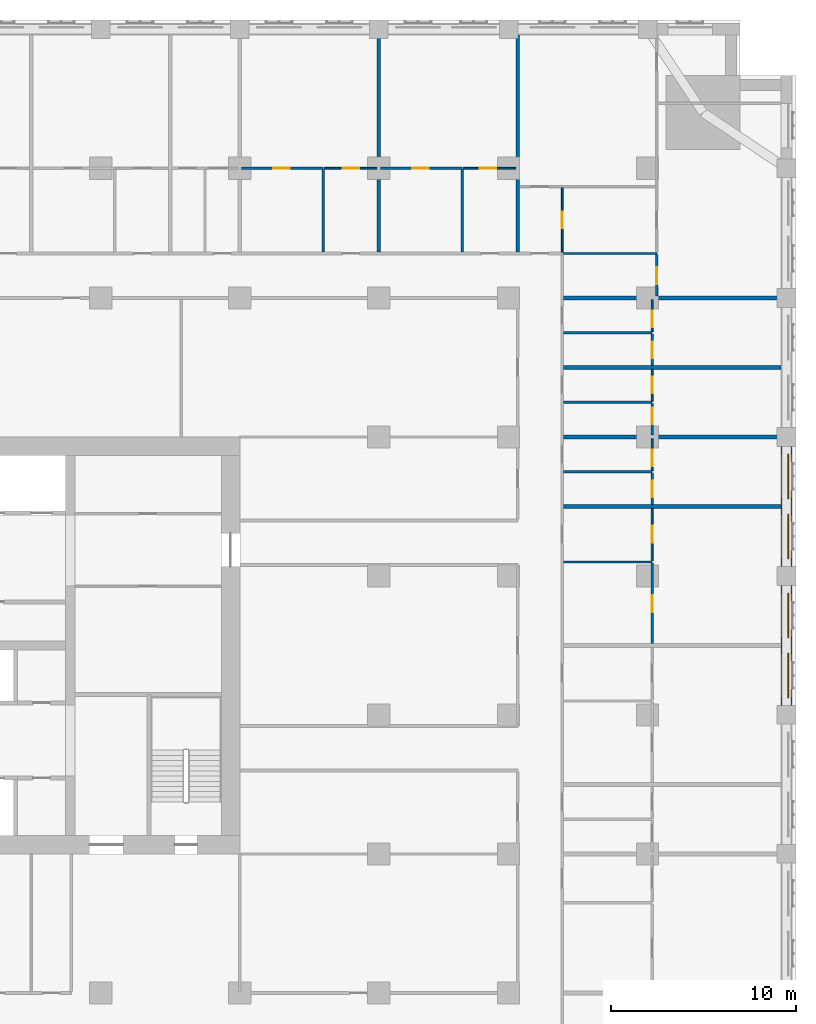
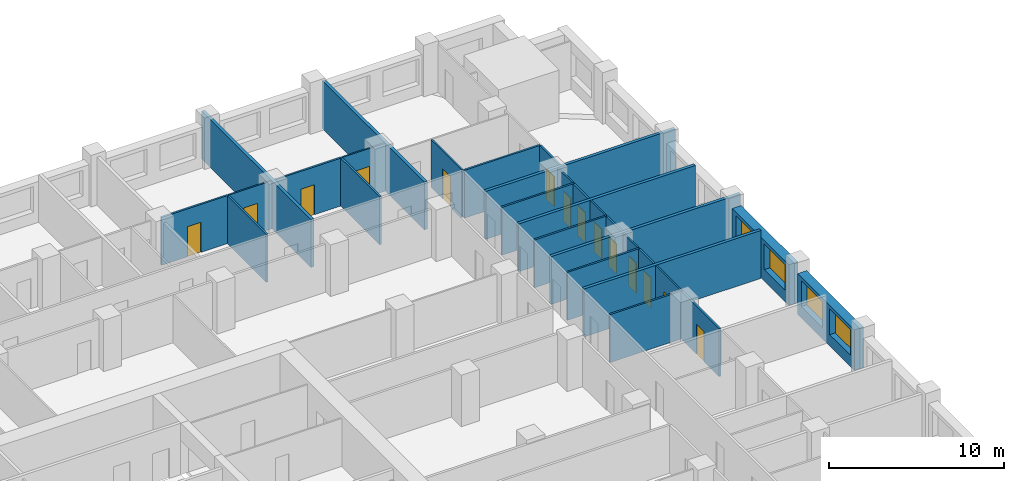
# One storey, part 10 of 14: 29 walls, 14 doors, 4 windows, 18 openings.
"""IFC4 building model written with IfcOpenShell, lengths in metres."""

from ifc_helpers import new_model, si_unit, direction, frame, frame_2d, origin, place, context, subcontext, project, spatial, rectangle, extrude, material, layer, layer_set, type_object, element, fill, save


model = new_model("IFC4")

# Units and contexts
model_context = context("Model", 3, precision=1e-05, world=origin(), true_north=direction((0.0, 1.0)))
body_context = subcontext(model_context, "Body", "Model", "MODEL_VIEW")
ifc_project = project(units=[si_unit("LENGTHUNIT", "METRE"), si_unit("AREAUNIT", "SQUARE_METRE"), si_unit("VOLUMEUNIT", "CUBIC_METRE"), si_unit("PLANEANGLEUNIT", "RADIAN"), si_unit("MASSUNIT", "GRAM", prefix="KILO")], contexts=[model_context])

# Site, building, storey
site_placement = place(None, origin())
site = spatial("IfcSite", under=ifc_project, at=site_placement, CompositionType="ELEMENT")
building_placement = place(site_placement, origin())
building = spatial("IfcBuilding", under=site, at=building_placement, Name="Tamorin Gate", CompositionType="ELEMENT")
storey_placement = place(building_placement, frame((0.0, 0.0, 59.199951171875)))
storey = spatial("IfcBuildingStorey", under=building, at=storey_placement, Name="L13", CompositionType="ELEMENT", Elevation=59.199951171875)

# Wall, openings, windows
ifc_material_1 = material(Name="Precast concrete C40/50", Category="concrete")
ifc_layer_1 = layer(ifc_material_1, 0.60009765625)
ifc_layer_set_1 = layer_set([ifc_layer_1], Name="Precast concrete C40/50")
wall_type_1 = type_object("IfcWallType", Name="Board-marked concrete facade panel 600", PredefinedType="SOLIDWALL", material=ifc_layer_set_1)
wall_1_placement = place(storey_placement, frame((89.5, 68.0, 0.0), z_axis=(0.0, 0.0, 1.0), x_axis=(0.0, 1.0, 0.0)))
wall_1 = element("IfcWall", 1, at=wall_1_placement, inside=storey, type_object=wall_type_1, Name="Facade panel", PredefinedType="SOLIDWALL", context=body_context, shape_type="SweptSolid", body=[
    extrude(rectangle(XDim=6.5, YDim=0.60009765625, at=frame_2d((3.25, 0.0))), origin(), (0.0, 0.0, 1.0), 2.85009765625),
])
opening_1_placement = place(wall_1_placement, frame((0.425048828125, 0.0, 0.800048828125)))
opening_1 = element("IfcOpeningElement", 2, at=opening_1_placement, cuts=wall_1, Name="Opening WN1", PredefinedType="OPENING", context=body_context, shape_type="SweptSolid", body=[
    extrude(rectangle(XDim=2.39990234375, YDim=1.800048828125, at=frame_2d((1.199951171875, 0.89990234375))), frame((0.0, 0.31005859375, 0.0), z_axis=(0.0, -1.0, 0.0), x_axis=(1.0, 0.0, 0.0)), (0.0, 0.0, 1.0), 0.6201171875),
])
opening_2_placement = place(wall_1_placement, frame((3.675048828125, 0.0, 0.800048828125)))
opening_2 = element("IfcOpeningElement", 3, at=opening_2_placement, cuts=wall_1, Name="Opening WN1", PredefinedType="OPENING", context=body_context, shape_type="SweptSolid", body=[
    extrude(rectangle(XDim=2.39990234375, YDim=1.800048828125, at=frame_2d((1.199951171875, 0.89990234375))), frame((0.0, 0.31005859375, 0.0), z_axis=(0.0, -1.0, 0.0), x_axis=(1.0, 0.0, 0.0)), (0.0, 0.0, 1.0), 0.6201171875),
])
ifc_material_2 = material(Name="Clear glass in aluminium frame", Category="aluminium")
window_type = type_object("IfcWindowType", Name="Deep-set window 2400x1800", PartitioningType="SINGLE_PANEL", PredefinedType="WINDOW", material=ifc_material_2)
window_1_placement = place(opening_1_placement, origin())
window_1 = element("IfcWindow", 4, at=window_1_placement, inside=storey, type_object=window_type, Name="Deep-set window", OverallHeight=1.800048828125, OverallWidth=2.39990234375, PartitioningType="SINGLE_PANEL", PredefinedType="WINDOW", context=body_context, shape_type="SweptSolid", body=[
    extrude(rectangle(XDim=2.39990234375, YDim=1.800048828125, at=frame_2d((1.199951171875, 0.89990234375))), frame((0.0, -0.070068359375, 0.0), z_axis=(0.0, -1.0, 0.0), x_axis=(1.0, 0.0, 0.0)), (0.0, 0.0, 1.0), 0.06005859375),
])
fill(opening_1, window_1)
window_2_placement = place(opening_2_placement, origin())
window_2 = element("IfcWindow", 5, at=window_2_placement, inside=storey, type_object=window_type, Name="Deep-set window", OverallHeight=1.800048828125, OverallWidth=2.39990234375, PartitioningType="SINGLE_PANEL", PredefinedType="WINDOW", context=body_context, shape_type="SweptSolid", body=[
    extrude(rectangle(XDim=2.39990234375, YDim=1.800048828125, at=frame_2d((1.199951171875, 0.89990234375))), frame((0.0, -0.070068359375, 0.0), z_axis=(0.0, -1.0, 0.0), x_axis=(1.0, 0.0, 0.0)), (0.0, 0.0, 1.0), 0.06005859375),
])
fill(opening_2, window_2)

wall_2_placement = place(storey_placement, frame((89.5, 75.5, 0.0), z_axis=(0.0, 0.0, 1.0), x_axis=(0.0, 1.0, 0.0)))
wall_2 = element("IfcWall", 6, at=wall_2_placement, inside=storey, type_object=wall_type_1, Name="Facade panel", PredefinedType="SOLIDWALL", context=body_context, shape_type="SweptSolid", body=[
    extrude(rectangle(XDim=6.5, YDim=0.60009765625, at=frame_2d((3.25, 0.0))), origin(), (0.0, 0.0, 1.0), 2.85009765625),
])
opening_3_placement = place(wall_2_placement, frame((0.425048828125, 0.0, 0.800048828125)))
opening_3 = element("IfcOpeningElement", 7, at=opening_3_placement, cuts=wall_2, Name="Opening WN1", PredefinedType="OPENING", context=body_context, shape_type="SweptSolid", body=[
    extrude(rectangle(XDim=2.39990234375, YDim=1.800048828125, at=frame_2d((1.199951171875, 0.89990234375))), frame((0.0, 0.31005859375, 0.0), z_axis=(0.0, -1.0, 0.0), x_axis=(1.0, 0.0, 0.0)), (0.0, 0.0, 1.0), 0.6201171875),
])
opening_4_placement = place(wall_2_placement, frame((3.675048828125, 0.0, 0.800048828125)))
opening_4 = element("IfcOpeningElement", 8, at=opening_4_placement, cuts=wall_2, Name="Opening WN1", PredefinedType="OPENING", context=body_context, shape_type="SweptSolid", body=[
    extrude(rectangle(XDim=2.39990234375, YDim=1.800048828125, at=frame_2d((1.199951171875, 0.89990234375))), frame((0.0, 0.31005859375, 0.0), z_axis=(0.0, -1.0, 0.0), x_axis=(1.0, 0.0, 0.0)), (0.0, 0.0, 1.0), 0.6201171875),
])
window_3_placement = place(opening_3_placement, origin())
window_3 = element("IfcWindow", 9, at=window_3_placement, inside=storey, type_object=window_type, Name="Deep-set window", OverallHeight=1.800048828125, OverallWidth=2.39990234375, PartitioningType="SINGLE_PANEL", PredefinedType="WINDOW", context=body_context, shape_type="SweptSolid", body=[
    extrude(rectangle(XDim=2.39990234375, YDim=1.800048828125, at=frame_2d((1.199951171875, 0.89990234375))), frame((0.0, -0.070068359375, 0.0), z_axis=(0.0, -1.0, 0.0), x_axis=(1.0, 0.0, 0.0)), (0.0, 0.0, 1.0), 0.06005859375),
])
fill(opening_3, window_3)
window_4_placement = place(opening_4_placement, origin())
window_4 = element("IfcWindow", 10, at=window_4_placement, inside=storey, type_object=window_type, Name="Deep-set window", OverallHeight=1.800048828125, OverallWidth=2.39990234375, PartitioningType="SINGLE_PANEL", PredefinedType="WINDOW", context=body_context, shape_type="SweptSolid", body=[
    extrude(rectangle(XDim=2.39990234375, YDim=1.800048828125, at=frame_2d((1.199951171875, 0.89990234375))), frame((0.0, -0.070068359375, 0.0), z_axis=(0.0, -1.0, 0.0), x_axis=(1.0, 0.0, 0.0)), (0.0, 0.0, 1.0), 0.06005859375),
])
fill(opening_4, window_4)

# Walls
ifc_material_3 = material(Name="Gypsum board partition")
ifc_layer_2 = layer(ifc_material_3, 0.199951171875)
ifc_layer_set_2 = layer_set([ifc_layer_2], Name="Demising wall 200")
wall_type_2 = type_object("IfcWallType", Name="Demising wall 200", PredefinedType="PARTITIONING", material=ifc_layer_set_2)
wall_3_placement = place(storey_placement, frame((77.47509765625, 78.75, 0.0), z_axis=(0.0, 0.0, 1.0), x_axis=(1.0, 0.0, 0.0)))
element("IfcWall", 11, at=wall_3_placement, inside=storey, type_object=wall_type_2, Name="Demising wall 200", PredefinedType="PARTITIONING", context=body_context, shape_type="SweptSolid", body=[
    extrude(rectangle(XDim=11.71484375, YDim=0.199951171875, at=frame_2d((5.857421875, 0.0))), origin(), (0.0, 0.0, 1.0), 3.35009765625),
])
wall_4_placement = place(storey_placement, frame((77.47509765625, 82.5, 0.0), z_axis=(0.0, 0.0, 1.0), x_axis=(1.0, 0.0, 0.0)))
element("IfcWall", 12, at=wall_4_placement, inside=storey, type_object=wall_type_2, Name="Demising wall 200", PredefinedType="PARTITIONING", context=body_context, shape_type="SweptSolid", body=[
    extrude(rectangle(XDim=12.52490234375, YDim=0.199951171875, at=frame_2d((6.262451171875, 0.0))), origin(), (0.0, 0.0, 1.0), 3.35009765625),
])
wall_5_placement = place(storey_placement, frame((77.47509765625, 86.25, 0.0), z_axis=(0.0, 0.0, 1.0), x_axis=(1.0, 0.0, 0.0)))
element("IfcWall", 13, at=wall_5_placement, inside=storey, type_object=wall_type_2, Name="Demising wall 200", PredefinedType="PARTITIONING", context=body_context, shape_type="SweptSolid", body=[
    extrude(rectangle(XDim=11.71484375, YDim=0.199951171875, at=frame_2d((5.857421875, 0.0))), origin(), (0.0, 0.0, 1.0), 3.35009765625),
])
for number, where, z_axis, x_axis, name in (
    (14, (77.47509765625, 90.0, 0.0), (0.0, 0.0, 1.0), (1.0, 0.0, 0.0), "Demising wall 200"),
    (15, (67.5, 92.47509765625, 0.0), (0.0, 0.0, 1.0), (0.0, 1.0, 0.0), "Demising wall 200"),
):
    element("IfcWall", number, at=place(storey_placement, frame(where, z_axis=z_axis, x_axis=x_axis)), inside=storey, type_object=wall_type_2, Name=name, PredefinedType="PARTITIONING", context=body_context, shape_type="SweptSolid", body=[
        extrude(rectangle(XDim=12.52490234375, YDim=0.199951171875, at=frame_2d((6.262451171875, 0.0))), origin(), (0.0, 0.0, 1.0), 3.35009765625),
    ])
wall_6_placement = place(storey_placement, frame((75.0, 92.47509765625, 0.0), z_axis=(0.0, 0.0, 1.0), x_axis=(0.0, 1.0, 0.0)))
element("IfcWall", 16, at=wall_6_placement, inside=storey, type_object=wall_type_2, Name="Demising wall 200", PredefinedType="PARTITIONING", context=body_context, shape_type="SweptSolid", body=[
    extrude(rectangle(XDim=11.71484375, YDim=0.199951171875, at=frame_2d((5.857421875, 0.0))), origin(), (0.0, 0.0, 1.0), 3.35009765625),
])

# Wall, opening, door
ifc_layer_3 = layer(ifc_material_3, 0.10009765625)
ifc_layer_set_3 = layer_set([ifc_layer_3], Name="Room partition 100")
wall_type_3 = type_object("IfcWallType", Name="Room partition 100", PredefinedType="PARTITIONING", material=ifc_layer_set_3)
wall_7_placement = place(storey_placement, frame((64.5625, 97.0, 0.0), z_axis=(0.0, 0.0, 1.0), x_axis=(1.0, 0.0, 0.0)))
wall_7 = element("IfcWall", 17, at=wall_7_placement, inside=storey, type_object=wall_type_3, Name="Room partition 100", PredefinedType="PARTITIONING", context=body_context, shape_type="SweptSolid", body=[
    extrude(rectangle(XDim=2.83740234375, YDim=0.10009765625, at=frame_2d((1.418701171875, 0.0))), origin(), (0.0, 0.0, 1.0), 3.35009765625),
])
opening_5_placement = place(wall_7_placement, frame((0.987548828125, 0.0, 0.0)))
opening_5 = element("IfcOpeningElement", 18, at=opening_5_placement, cuts=wall_7, Name="Opening DH4035", PredefinedType="OPENING", context=body_context, shape_type="SweptSolid", body=[
    extrude(rectangle(XDim=0.89990234375, YDim=2.10009765625, at=frame_2d((0.449951171875, 1.050048828125))), frame((0.0, 0.06005859375, 0.0), z_axis=(0.0, -1.0, 0.0), x_axis=(1.0, 0.0, 0.0)), (0.0, 0.0, 1.0), 0.1201171875),
])
ifc_material_4 = material(Name="Timber door leaf", Category="wood")
door_type = type_object("IfcDoorType", Name="Door 900 x 2100", OperationType="NOTDEFINED", PredefinedType="DOOR", material=ifc_material_4)
door_1_placement = place(opening_5_placement, origin())
door_1 = element("IfcDoor", 19, at=door_1_placement, inside=storey, type_object=door_type, Name="Door DH4035", OperationType="SINGLE_SWING_RIGHT", OverallHeight=2.10009765625, OverallWidth=0.89990234375, PredefinedType="DOOR", context=body_context, shape_type="SweptSolid", body=[
    extrude(rectangle(XDim=0.89990234375, YDim=2.10009765625, at=frame_2d((0.449951171875, 1.050048828125))), frame((0.0, 0.02490234375, 0.0), z_axis=(0.0, -1.0, 0.0), x_axis=(1.0, 0.0, 0.0)), (0.0, 0.0, 1.0), 0.050048828125),
])
fill(opening_5, door_1)

wall_8_placement = place(storey_placement, frame((72.0625, 97.0, 0.0), z_axis=(0.0, 0.0, 1.0), x_axis=(1.0, 0.0, 0.0)))
wall_8 = element("IfcWall", 20, at=wall_8_placement, inside=storey, type_object=wall_type_3, Name="Room partition 100", PredefinedType="PARTITIONING", context=body_context, shape_type="SweptSolid", body=[
    extrude(rectangle(XDim=2.83740234375, YDim=0.10009765625, at=frame_2d((1.418701171875, 0.0))), origin(), (0.0, 0.0, 1.0), 3.35009765625),
])
opening_6_placement = place(wall_8_placement, frame((0.887451171875, 0.0, 0.0)))
opening_6 = element("IfcOpeningElement", 21, at=opening_6_placement, cuts=wall_8, Name="Opening DH4038", PredefinedType="OPENING", context=body_context, shape_type="SweptSolid", body=[
    extrude(rectangle(XDim=0.89990234375, YDim=2.10009765625, at=frame_2d((0.449951171875, 1.050048828125))), frame((0.0, 0.06005859375, 0.0), z_axis=(0.0, -1.0, 0.0), x_axis=(1.0, 0.0, 0.0)), (0.0, 0.0, 1.0), 0.1201171875),
])
door_2_placement = place(opening_6_placement, origin())
door_2 = element("IfcDoor", 22, at=door_2_placement, inside=storey, type_object=door_type, Name="Door DH4038", OperationType="SINGLE_SWING_RIGHT", OverallHeight=2.10009765625, OverallWidth=0.89990234375, PredefinedType="DOOR", context=body_context, shape_type="SweptSolid", body=[
    extrude(rectangle(XDim=0.89990234375, YDim=2.10009765625, at=frame_2d((0.449951171875, 1.050048828125))), frame((0.0, 0.02490234375, 0.0), z_axis=(0.0, -1.0, 0.0), x_axis=(1.0, 0.0, 0.0)), (0.0, 0.0, 1.0), 0.050048828125),
])
fill(opening_6, door_2)

wall_9_placement = place(storey_placement, frame((77.39990234375, 92.47509765625, 0.0), z_axis=(0.0, 0.0, 1.0), x_axis=(0.0, 1.0, 0.0)))
wall_9 = element("IfcWall", 23, at=wall_9_placement, inside=storey, type_object=wall_type_3, Name="Room partition 100", PredefinedType="PARTITIONING", context=body_context, shape_type="SweptSolid", body=[
    extrude(rectangle(XDim=3.474853515625, YDim=0.10009765625, at=frame_2d((1.7373046875, 0.0))), origin(), (0.0, 0.0, 1.0), 3.35009765625),
])
opening_7_placement = place(wall_9_placement, frame((1.27490234375, 0.0, 0.0)))
opening_7 = element("IfcOpeningElement", 24, at=opening_7_placement, cuts=wall_9, Name="Opening DH4068", PredefinedType="OPENING", context=body_context, shape_type="SweptSolid", body=[
    extrude(rectangle(XDim=0.89990234375, YDim=2.10009765625, at=frame_2d((0.449951171875, 1.050048828125))), frame((0.0, 0.06005859375, 0.0), z_axis=(0.0, -1.0, 0.0), x_axis=(1.0, 0.0, 0.0)), (0.0, 0.0, 1.0), 0.1201171875),
])
door_3_placement = place(opening_7_placement, origin())
door_3 = element("IfcDoor", 25, at=door_3_placement, inside=storey, type_object=door_type, Name="Door DH4068", OperationType="SINGLE_SWING_RIGHT", OverallHeight=2.10009765625, OverallWidth=0.89990234375, PredefinedType="DOOR", context=body_context, shape_type="SweptSolid", body=[
    extrude(rectangle(XDim=0.89990234375, YDim=2.10009765625, at=frame_2d((0.449951171875, 1.050048828125))), frame((0.0, 0.02490234375, 0.0), z_axis=(0.0, -1.0, 0.0), x_axis=(1.0, 0.0, 0.0)), (0.0, 0.0, 1.0), 0.050048828125),
])
fill(opening_7, door_3)

wall_10_placement = place(storey_placement, frame((82.25, 75.8125, 0.0), z_axis=(0.0, 0.0, 1.0), x_axis=(0.0, 1.0, 0.0)))
wall_10 = element("IfcWall", 26, at=wall_10_placement, inside=storey, type_object=wall_type_3, Name="Room partition 100", PredefinedType="PARTITIONING", context=body_context, shape_type="SweptSolid", body=[
    extrude(rectangle(XDim=2.83740234375, YDim=0.10009765625, at=frame_2d((1.418701171875, 0.0))), origin(), (0.0, 0.0, 1.0), 3.35009765625),
])
opening_8_placement = place(wall_10_placement, frame((0.987548828125, 0.0, 0.0)))
opening_8 = element("IfcOpeningElement", 27, at=opening_8_placement, cuts=wall_10, Name="Opening DH4050", PredefinedType="OPENING", context=body_context, shape_type="SweptSolid", body=[
    extrude(rectangle(XDim=0.89990234375, YDim=2.10009765625, at=frame_2d((0.449951171875, 1.050048828125))), frame((0.0, 0.06005859375, 0.0), z_axis=(0.0, -1.0, 0.0), x_axis=(1.0, 0.0, 0.0)), (0.0, 0.0, 1.0), 0.1201171875),
])
door_4_placement = place(opening_8_placement, origin())
door_4 = element("IfcDoor", 28, at=door_4_placement, inside=storey, type_object=door_type, Name="Door DH4050", OperationType="SINGLE_SWING_LEFT", OverallHeight=2.10009765625, OverallWidth=0.89990234375, PredefinedType="DOOR", context=body_context, shape_type="SweptSolid", body=[
    extrude(rectangle(XDim=0.89990234375, YDim=2.10009765625, at=frame_2d((0.449951171875, 1.050048828125))), frame((0.0, 0.02490234375, 0.0), z_axis=(0.0, -1.0, 0.0), x_axis=(1.0, 0.0, 0.0)), (0.0, 0.0, 1.0), 0.050048828125),
])
fill(opening_8, door_4)

wall_11_placement = place(storey_placement, frame((82.25, 80.6875, 0.0), z_axis=(0.0, 0.0, 1.0), x_axis=(0.0, 1.0, 0.0)))
wall_11 = element("IfcWall", 29, at=wall_11_placement, inside=storey, type_object=wall_type_3, Name="Room partition 100", PredefinedType="PARTITIONING", context=body_context, shape_type="SweptSolid", body=[
    extrude(rectangle(XDim=1.71240234375, YDim=0.10009765625, at=frame_2d((0.856201171875, 0.0))), origin(), (0.0, 0.0, 1.0), 3.35009765625),
])
opening_9_placement = place(wall_11_placement, frame((0.22509765625, 0.0, 0.0)))
opening_9 = element("IfcOpeningElement", 30, at=opening_9_placement, cuts=wall_11, Name="Opening DH4053", PredefinedType="OPENING", context=body_context, shape_type="SweptSolid", body=[
    extrude(rectangle(XDim=0.89990234375, YDim=2.10009765625, at=frame_2d((0.449951171875, 1.050048828125))), frame((0.0, 0.06005859375, 0.0), z_axis=(0.0, -1.0, 0.0), x_axis=(1.0, 0.0, 0.0)), (0.0, 0.0, 1.0), 0.1201171875),
])
door_5_placement = place(opening_9_placement, origin())
door_5 = element("IfcDoor", 31, at=door_5_placement, inside=storey, type_object=door_type, Name="Door DH4053", OperationType="SINGLE_SWING_LEFT", OverallHeight=2.10009765625, OverallWidth=0.89990234375, PredefinedType="DOOR", context=body_context, shape_type="SweptSolid", body=[
    extrude(rectangle(XDim=0.89990234375, YDim=2.10009765625, at=frame_2d((0.449951171875, 1.050048828125))), frame((0.0, 0.02490234375, 0.0), z_axis=(0.0, -1.0, 0.0), x_axis=(1.0, 0.0, 0.0)), (0.0, 0.0, 1.0), 0.050048828125),
])
fill(opening_9, door_5)

wall_12_placement = place(storey_placement, frame((82.25, 84.4375, 0.0), z_axis=(0.0, 0.0, 1.0), x_axis=(0.0, 1.0, 0.0)))
wall_12 = element("IfcWall", 32, at=wall_12_placement, inside=storey, type_object=wall_type_3, Name="Room partition 100", PredefinedType="PARTITIONING", context=body_context, shape_type="SweptSolid", body=[
    extrude(rectangle(XDim=1.71240234375, YDim=0.10009765625, at=frame_2d((0.856201171875, 0.0))), origin(), (0.0, 0.0, 1.0), 3.35009765625),
])
opening_10_placement = place(wall_12_placement, frame((0.425048828125, 0.0, 0.0)))
opening_10 = element("IfcOpeningElement", 33, at=opening_10_placement, cuts=wall_12, Name="Opening DH4056", PredefinedType="OPENING", context=body_context, shape_type="SweptSolid", body=[
    extrude(rectangle(XDim=0.89990234375, YDim=2.10009765625, at=frame_2d((0.449951171875, 1.050048828125))), frame((0.0, 0.06005859375, 0.0), z_axis=(0.0, -1.0, 0.0), x_axis=(1.0, 0.0, 0.0)), (0.0, 0.0, 1.0), 0.1201171875),
])
door_6_placement = place(opening_10_placement, origin())
door_6 = element("IfcDoor", 34, at=door_6_placement, inside=storey, type_object=door_type, Name="Door DH4056", OperationType="SINGLE_SWING_LEFT", OverallHeight=2.10009765625, OverallWidth=0.89990234375, PredefinedType="DOOR", context=body_context, shape_type="SweptSolid", body=[
    extrude(rectangle(XDim=0.89990234375, YDim=2.10009765625, at=frame_2d((0.449951171875, 1.050048828125))), frame((0.0, 0.02490234375, 0.0), z_axis=(0.0, -1.0, 0.0), x_axis=(1.0, 0.0, 0.0)), (0.0, 0.0, 1.0), 0.050048828125),
])
fill(opening_10, door_6)

wall_13_placement = place(storey_placement, frame((82.25, 88.1875, 0.0), z_axis=(0.0, 0.0, 1.0), x_axis=(0.0, 1.0, 0.0)))
wall_13 = element("IfcWall", 35, at=wall_13_placement, inside=storey, type_object=wall_type_3, Name="Room partition 100", PredefinedType="PARTITIONING", context=body_context, shape_type="SweptSolid", body=[
    extrude(rectangle(XDim=1.71240234375, YDim=0.10009765625, at=frame_2d((0.856201171875, 0.0))), origin(), (0.0, 0.0, 1.0), 3.35009765625),
])
opening_11_placement = place(wall_13_placement, frame((0.22509765625, 0.0, 0.0)))
opening_11 = element("IfcOpeningElement", 36, at=opening_11_placement, cuts=wall_13, Name="Opening DH4059", PredefinedType="OPENING", context=body_context, shape_type="SweptSolid", body=[
    extrude(rectangle(XDim=0.89990234375, YDim=2.10009765625, at=frame_2d((0.449951171875, 1.050048828125))), frame((0.0, 0.06005859375, 0.0), z_axis=(0.0, -1.0, 0.0), x_axis=(1.0, 0.0, 0.0)), (0.0, 0.0, 1.0), 0.1201171875),
])
door_7_placement = place(opening_11_placement, origin())
door_7 = element("IfcDoor", 37, at=door_7_placement, inside=storey, type_object=door_type, Name="Door DH4059", OperationType="SINGLE_SWING_LEFT", OverallHeight=2.10009765625, OverallWidth=0.89990234375, PredefinedType="DOOR", context=body_context, shape_type="SweptSolid", body=[
    extrude(rectangle(XDim=0.89990234375, YDim=2.10009765625, at=frame_2d((0.449951171875, 1.050048828125))), frame((0.0, 0.02490234375, 0.0), z_axis=(0.0, -1.0, 0.0), x_axis=(1.0, 0.0, 0.0)), (0.0, 0.0, 1.0), 0.050048828125),
])
fill(opening_11, door_7)

# Walls
ifc_layer_4 = layer(ifc_material_3, 0.125)
ifc_layer_set_4 = layer_set([ifc_layer_4], Name="Wet wall 125")
wall_type_4 = type_object("IfcWallType", Name="Wet wall 125", PredefinedType="PARTITIONING", material=ifc_layer_set_4)
for number, where, z_axis, x_axis, name in (
    (38, (77.47509765625, 75.75, 0.0), (0.0, 0.0, 1.0), (1.0, 0.0, 0.0), "Wet wall 125"),
    (39, (77.47509765625, 80.625, 0.0), (0.0, 0.0, 1.0), (1.0, 0.0, 0.0), "Wet wall 125"),
    (40, (77.47509765625, 84.375, 0.0), (0.0, 0.0, 1.0), (1.0, 0.0, 0.0), "Wet wall 125"),
    (41, (77.47509765625, 88.125, 0.0), (0.0, 0.0, 1.0), (1.0, 0.0, 0.0), "Wet wall 125"),
):
    element("IfcWall", number, at=place(storey_placement, frame(where, z_axis=z_axis, x_axis=x_axis)), inside=storey, type_object=wall_type_4, Name=name, PredefinedType="PARTITIONING", context=body_context, shape_type="SweptSolid", body=[
        extrude(rectangle(XDim=4.77490234375, YDim=0.125, at=frame_2d((2.387451171875, 0.0))), origin(), (0.0, 0.0, 1.0), 3.35009765625),
    ])
wall_14_placement = place(storey_placement, frame((77.47509765625, 92.39990234375, 0.0), z_axis=(0.0, 0.0, 1.0), x_axis=(1.0, 0.0, 0.0)))
element("IfcWall", 42, at=wall_14_placement, inside=storey, type_object=wall_type_4, Name="Wet wall 125", PredefinedType="PARTITIONING", context=body_context, shape_type="SweptSolid", body=[
    extrude(rectangle(XDim=5.02490234375, YDim=0.125, at=frame_2d((2.512451171875, 0.0))), origin(), (0.0, 0.0, 1.0), 3.35009765625),
])

# Wall, opening, door
wall_15_placement = place(storey_placement, frame((60.10009765625, 97.0, 0.0), z_axis=(0.0, 0.0, 1.0), x_axis=(1.0, 0.0, 0.0)))
wall_15 = element("IfcWall", 43, at=wall_15_placement, inside=storey, type_object=wall_type_4, Name="Wet wall 125", PredefinedType="PARTITIONING", context=body_context, shape_type="SweptSolid", body=[
    extrude(rectangle(XDim=4.39990234375, YDim=0.125, at=frame_2d((2.199951171875, 0.0))), origin(), (0.0, 0.0, 1.0), 3.35009765625),
])
opening_12_placement = place(wall_15_placement, frame((1.699951171875, 0.0, 0.0)))
opening_12 = element("IfcOpeningElement", 44, at=opening_12_placement, cuts=wall_15, Name="Opening DH4033", PredefinedType="OPENING", context=body_context, shape_type="SweptSolid", body=[
    extrude(rectangle(XDim=0.89990234375, YDim=2.10009765625, at=frame_2d((0.449951171875, 1.050048828125))), frame((0.0, 0.072509765625, 0.0), z_axis=(0.0, -1.0, 0.0), x_axis=(1.0, 0.0, 0.0)), (0.0, 0.0, 1.0), 0.14501953125),
])
door_8_placement = place(opening_12_placement, origin())
door_8 = element("IfcDoor", 45, at=door_8_placement, inside=storey, type_object=door_type, Name="Door DH4033", OperationType="SINGLE_SWING_RIGHT", OverallHeight=2.10009765625, OverallWidth=0.89990234375, PredefinedType="DOOR", context=body_context, shape_type="SweptSolid", body=[
    extrude(rectangle(XDim=0.89990234375, YDim=2.10009765625, at=frame_2d((0.449951171875, 1.050048828125))), frame((0.0, 0.02490234375, 0.0), z_axis=(0.0, -1.0, 0.0), x_axis=(1.0, 0.0, 0.0)), (0.0, 0.0, 1.0), 0.050048828125),
])
fill(opening_12, door_8)

wall_16_placement = place(storey_placement, frame((67.60009765625, 97.0, 0.0), z_axis=(0.0, 0.0, 1.0), x_axis=(1.0, 0.0, 0.0)))
wall_16 = element("IfcWall", 46, at=wall_16_placement, inside=storey, type_object=wall_type_4, Name="Wet wall 125", PredefinedType="PARTITIONING", context=body_context, shape_type="SweptSolid", body=[
    extrude(rectangle(XDim=4.39990234375, YDim=0.125, at=frame_2d((2.199951171875, 0.0))), origin(), (0.0, 0.0, 1.0), 3.35009765625),
])
opening_13_placement = place(wall_16_placement, frame((1.699951171875, 0.0, 0.0)))
opening_13 = element("IfcOpeningElement", 47, at=opening_13_placement, cuts=wall_16, Name="Opening DH4036", PredefinedType="OPENING", context=body_context, shape_type="SweptSolid", body=[
    extrude(rectangle(XDim=0.89990234375, YDim=2.10009765625, at=frame_2d((0.449951171875, 1.050048828125))), frame((0.0, 0.072509765625, 0.0), z_axis=(0.0, -1.0, 0.0), x_axis=(1.0, 0.0, 0.0)), (0.0, 0.0, 1.0), 0.14501953125),
])
door_9_placement = place(opening_13_placement, origin())
door_9 = element("IfcDoor", 48, at=door_9_placement, inside=storey, type_object=door_type, Name="Door DH4036", OperationType="SINGLE_SWING_RIGHT", OverallHeight=2.10009765625, OverallWidth=0.89990234375, PredefinedType="DOOR", context=body_context, shape_type="SweptSolid", body=[
    extrude(rectangle(XDim=0.89990234375, YDim=2.10009765625, at=frame_2d((0.449951171875, 1.050048828125))), frame((0.0, 0.02490234375, 0.0), z_axis=(0.0, -1.0, 0.0), x_axis=(1.0, 0.0, 0.0)), (0.0, 0.0, 1.0), 0.050048828125),
])
fill(opening_13, door_9)

# Walls
for number, where, z_axis, x_axis, name in (
    (49, (64.5, 92.47509765625, 0.0), (0.0, 0.0, 1.0), (0.0, 1.0, 0.0), "Wet wall 125"),
    (50, (72.0, 92.47509765625, 0.0), (0.0, 0.0, 1.0), (0.0, 1.0, 0.0), "Wet wall 125"),
):
    element("IfcWall", number, at=place(storey_placement, frame(where, z_axis=z_axis, x_axis=x_axis)), inside=storey, type_object=wall_type_4, Name=name, PredefinedType="PARTITIONING", context=body_context, shape_type="SweptSolid", body=[
        extrude(rectangle(XDim=4.46240234375, YDim=0.125, at=frame_2d((2.231201171875, 0.0))), origin(), (0.0, 0.0, 1.0), 3.35009765625),
    ])

# Wall, opening, door
wall_17_placement = place(storey_placement, frame((82.25, 71.35009765625, 0.0), z_axis=(0.0, 0.0, 1.0), x_axis=(0.0, 1.0, 0.0)))
wall_17 = element("IfcWall", 51, at=wall_17_placement, inside=storey, type_object=wall_type_4, Name="Wet wall 125", PredefinedType="PARTITIONING", context=body_context, shape_type="SweptSolid", body=[
    extrude(rectangle(XDim=4.33740234375, YDim=0.125, at=frame_2d((2.168701171875, 0.0))), origin(), (0.0, 0.0, 1.0), 3.35009765625),
])
opening_14_placement = place(wall_17_placement, frame((1.699951171875, 0.0, 0.0)))
opening_14 = element("IfcOpeningElement", 52, at=opening_14_placement, cuts=wall_17, Name="Opening DH4048", PredefinedType="OPENING", context=body_context, shape_type="SweptSolid", body=[
    extrude(rectangle(XDim=0.89990234375, YDim=2.10009765625, at=frame_2d((0.449951171875, 1.050048828125))), frame((0.0, 0.072509765625, 0.0), z_axis=(0.0, -1.0, 0.0), x_axis=(1.0, 0.0, 0.0)), (0.0, 0.0, 1.0), 0.14501953125),
])
door_10_placement = place(opening_14_placement, origin())
door_10 = element("IfcDoor", 53, at=door_10_placement, inside=storey, type_object=door_type, Name="Door DH4048", OperationType="SINGLE_SWING_LEFT", OverallHeight=2.10009765625, OverallWidth=0.89990234375, PredefinedType="DOOR", context=body_context, shape_type="SweptSolid", body=[
    extrude(rectangle(XDim=0.89990234375, YDim=2.10009765625, at=frame_2d((0.449951171875, 1.050048828125))), frame((0.0, 0.02490234375, 0.0), z_axis=(0.0, -1.0, 0.0), x_axis=(1.0, 0.0, 0.0)), (0.0, 0.0, 1.0), 0.050048828125),
])
fill(opening_14, door_10)

wall_18_placement = place(storey_placement, frame((82.25, 78.85009765625, 0.0), z_axis=(0.0, 0.0, 1.0), x_axis=(0.0, 1.0, 0.0)))
wall_18 = element("IfcWall", 54, at=wall_18_placement, inside=storey, type_object=wall_type_4, Name="Wet wall 125", PredefinedType="PARTITIONING", context=body_context, shape_type="SweptSolid", body=[
    extrude(rectangle(XDim=1.71240234375, YDim=0.125, at=frame_2d((0.856201171875, 0.0))), origin(), (0.0, 0.0, 1.0), 3.35009765625),
])
opening_15_placement = place(wall_18_placement, frame((0.387451171875, 0.0, 0.0)))
opening_15 = element("IfcOpeningElement", 55, at=opening_15_placement, cuts=wall_18, Name="Opening DH4051", PredefinedType="OPENING", context=body_context, shape_type="SweptSolid", body=[
    extrude(rectangle(XDim=0.89990234375, YDim=2.10009765625, at=frame_2d((0.449951171875, 1.050048828125))), frame((0.0, 0.072509765625, 0.0), z_axis=(0.0, -1.0, 0.0), x_axis=(1.0, 0.0, 0.0)), (0.0, 0.0, 1.0), 0.14501953125),
])
door_11_placement = place(opening_15_placement, origin())
door_11 = element("IfcDoor", 56, at=door_11_placement, inside=storey, type_object=door_type, Name="Door DH4051", OperationType="SINGLE_SWING_LEFT", OverallHeight=2.10009765625, OverallWidth=0.89990234375, PredefinedType="DOOR", context=body_context, shape_type="SweptSolid", body=[
    extrude(rectangle(XDim=0.89990234375, YDim=2.10009765625, at=frame_2d((0.449951171875, 1.050048828125))), frame((0.0, 0.02490234375, 0.0), z_axis=(0.0, -1.0, 0.0), x_axis=(1.0, 0.0, 0.0)), (0.0, 0.0, 1.0), 0.050048828125),
])
fill(opening_15, door_11)

wall_19_placement = place(storey_placement, frame((82.25, 82.60009765625, 0.0), z_axis=(0.0, 0.0, 1.0), x_axis=(0.0, 1.0, 0.0)))
wall_19 = element("IfcWall", 57, at=wall_19_placement, inside=storey, type_object=wall_type_4, Name="Wet wall 125", PredefinedType="PARTITIONING", context=body_context, shape_type="SweptSolid", body=[
    extrude(rectangle(XDim=1.71240234375, YDim=0.125, at=frame_2d((0.856201171875, 0.0))), origin(), (0.0, 0.0, 1.0), 3.35009765625),
])
opening_16_placement = place(wall_19_placement, frame((0.58740234375, 0.0, 0.0)))
opening_16 = element("IfcOpeningElement", 58, at=opening_16_placement, cuts=wall_19, Name="Opening DH4054", PredefinedType="OPENING", context=body_context, shape_type="SweptSolid", body=[
    extrude(rectangle(XDim=0.89990234375, YDim=2.10009765625, at=frame_2d((0.449951171875, 1.050048828125))), frame((0.0, 0.072509765625, 0.0), z_axis=(0.0, -1.0, 0.0), x_axis=(1.0, 0.0, 0.0)), (0.0, 0.0, 1.0), 0.14501953125),
])
door_12_placement = place(opening_16_placement, origin())
door_12 = element("IfcDoor", 59, at=door_12_placement, inside=storey, type_object=door_type, Name="Door DH4054", OperationType="SINGLE_SWING_RIGHT", OverallHeight=2.10009765625, OverallWidth=0.89990234375, PredefinedType="DOOR", context=body_context, shape_type="SweptSolid", body=[
    extrude(rectangle(XDim=0.89990234375, YDim=2.10009765625, at=frame_2d((0.449951171875, 1.050048828125))), frame((0.0, 0.02490234375, 0.0), z_axis=(0.0, -1.0, 0.0), x_axis=(1.0, 0.0, 0.0)), (0.0, 0.0, 1.0), 0.050048828125),
])
fill(opening_16, door_12)

wall_20_placement = place(storey_placement, frame((82.25, 86.35009765625, 0.0), z_axis=(0.0, 0.0, 1.0), x_axis=(0.0, 1.0, 0.0)))
wall_20 = element("IfcWall", 60, at=wall_20_placement, inside=storey, type_object=wall_type_4, Name="Wet wall 125", PredefinedType="PARTITIONING", context=body_context, shape_type="SweptSolid", body=[
    extrude(rectangle(XDim=1.71240234375, YDim=0.125, at=frame_2d((0.856201171875, 0.0))), origin(), (0.0, 0.0, 1.0), 3.35009765625),
])
opening_17_placement = place(wall_20_placement, frame((0.387451171875, 0.0, 0.0)))
opening_17 = element("IfcOpeningElement", 61, at=opening_17_placement, cuts=wall_20, Name="Opening DH4057", PredefinedType="OPENING", context=body_context, shape_type="SweptSolid", body=[
    extrude(rectangle(XDim=0.89990234375, YDim=2.10009765625, at=frame_2d((0.449951171875, 1.050048828125))), frame((0.0, 0.072509765625, 0.0), z_axis=(0.0, -1.0, 0.0), x_axis=(1.0, 0.0, 0.0)), (0.0, 0.0, 1.0), 0.14501953125),
])
door_13_placement = place(opening_17_placement, origin())
door_13 = element("IfcDoor", 62, at=door_13_placement, inside=storey, type_object=door_type, Name="Door DH4057", OperationType="SINGLE_SWING_LEFT", OverallHeight=2.10009765625, OverallWidth=0.89990234375, PredefinedType="DOOR", context=body_context, shape_type="SweptSolid", body=[
    extrude(rectangle(XDim=0.89990234375, YDim=2.10009765625, at=frame_2d((0.449951171875, 1.050048828125))), frame((0.0, 0.02490234375, 0.0), z_axis=(0.0, -1.0, 0.0), x_axis=(1.0, 0.0, 0.0)), (0.0, 0.0, 1.0), 0.050048828125),
])
fill(opening_17, door_13)

wall_21_placement = place(storey_placement, frame((82.5, 90.10009765625, 0.0), z_axis=(0.0, 0.0, 1.0), x_axis=(0.0, 1.0, 0.0)))
wall_21 = element("IfcWall", 63, at=wall_21_placement, inside=storey, type_object=wall_type_4, Name="Wet wall 125", PredefinedType="PARTITIONING", context=body_context, shape_type="SweptSolid", body=[
    extrude(rectangle(XDim=2.2373046875, YDim=0.125, at=frame_2d((1.11865234375, 0.0))), origin(), (0.0, 0.0, 1.0), 3.35009765625),
])
opening_18_placement = place(wall_21_placement, frame((0.64990234375, 0.0, 0.0)))
opening_18 = element("IfcOpeningElement", 64, at=opening_18_placement, cuts=wall_21, Name="Opening DH4071", PredefinedType="OPENING", context=body_context, shape_type="SweptSolid", body=[
    extrude(rectangle(XDim=0.89990234375, YDim=2.10009765625, at=frame_2d((0.449951171875, 1.050048828125))), frame((0.0, 0.072509765625, 0.0), z_axis=(0.0, -1.0, 0.0), x_axis=(1.0, 0.0, 0.0)), (0.0, 0.0, 1.0), 0.14501953125),
])
door_14_placement = place(opening_18_placement, origin())
door_14 = element("IfcDoor", 65, at=door_14_placement, inside=storey, type_object=door_type, Name="Door DH4071", OperationType="SINGLE_SWING_LEFT", OverallHeight=2.10009765625, OverallWidth=0.89990234375, PredefinedType="DOOR", context=body_context, shape_type="SweptSolid", body=[
    extrude(rectangle(XDim=0.89990234375, YDim=2.10009765625, at=frame_2d((0.449951171875, 1.050048828125))), frame((0.0, 0.02490234375, 0.0), z_axis=(0.0, -1.0, 0.0), x_axis=(1.0, 0.0, 0.0)), (0.0, 0.0, 1.0), 0.050048828125),
])
fill(opening_18, door_14)

save(model, "model.ifc")
